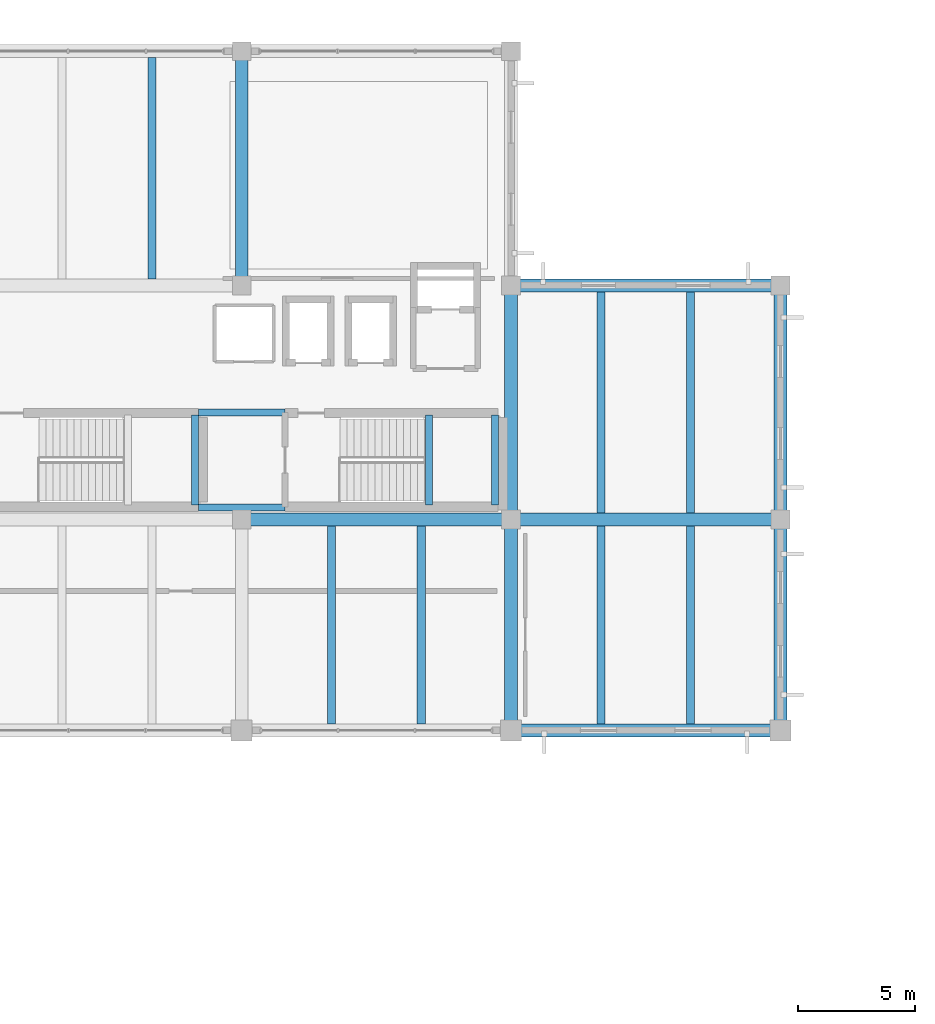
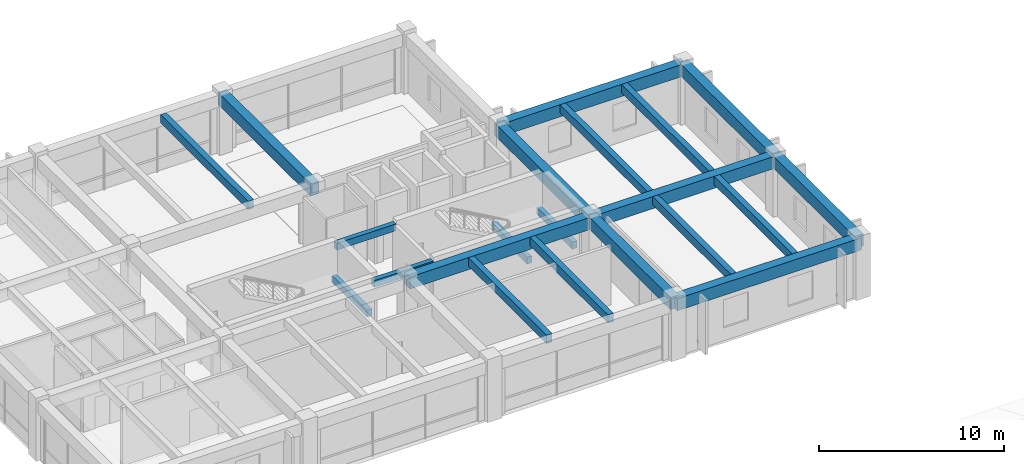
# One storey, part 20 of 33: 21 beams.
"""IFC4 building model written with IfcOpenShell, lengths in metres."""

from ifc_helpers import new_model, si_unit, direction, frame, origin, origin_2d, place, context, subcontext, project, spatial, rectangle, extrude, material, material_profile, profile_set, type_object, element, save


model = new_model("IFC4")

# Units and contexts
model_context = context("Model", 3, precision=1e-05, world=origin(), true_north=direction((0.0, 1.0)))
body_context = subcontext(model_context, "Body", "Model", "MODEL_VIEW")
ifc_project = project(units=[si_unit("LENGTHUNIT", "METRE"), si_unit("AREAUNIT", "SQUARE_METRE"), si_unit("VOLUMEUNIT", "CUBIC_METRE"), si_unit("PLANEANGLEUNIT", "RADIAN"), si_unit("MASSUNIT", "GRAM", prefix="KILO")], contexts=[model_context])

# Site, building, storey
site_placement = place(None, origin())
site = spatial("IfcSite", under=ifc_project, at=site_placement, CompositionType="ELEMENT")
building_placement = place(site_placement, origin())
building = spatial("IfcBuilding", under=site, at=building_placement, Name="Ologun Quay Terminus", CompositionType="ELEMENT")
storey_placement = place(building_placement, frame((0.0, 0.0, 18.300048828125)))
storey = spatial("IfcBuildingStorey", under=building, at=storey_placement, Name="L04", CompositionType="ELEMENT", Elevation=18.300048828125)

# Beams
ifc_material_1 = material(Name="Concrete C40/50", Category="concrete")
ifc_material_profile_1 = material_profile(ifc_material_1, rectangle(XDim=0.300048828125, YDim=0.449951171875, at=origin_2d()), Name="RC 300x450")
ifc_profile_set_1 = profile_set([ifc_material_profile_1], Name="Concrete C40/50")
beam_type_1 = type_object("IfcBeamType", Name="Core Coupling Lintel Beam 300x450", PredefinedType="LINTEL", material=ifc_profile_set_1)
for number, where, z_axis, x_axis, name in (
    (1, (136.14990234375, 95.324951171875, 3.68505859375), (1.0, 0.0, 0.0), (0.0, 1.0, 0.0), "LN1 Beam 13/H L04"),
    (2, (136.14990234375, 99.375, 3.68505859375), (1.0, 0.0, 0.0), (0.0, 1.0, 0.0), "LN1 Beam 13/H L04"),
):
    element("IfcBeam", number, at=place(storey_placement, frame(where, z_axis=z_axis, x_axis=x_axis)), inside=storey, type_object=beam_type_1, Name=name, PredefinedType="LINTEL", context=body_context, shape_type="SweptSolid", body=[
        extrude(rectangle(XDim=0.300048828125, YDim=0.449951171875, at=origin_2d()), origin(), (0.0, 0.0, 1.0), 3.7001953125),
    ])
for number, where, z_axis, x_axis, name in (
    (3, (136.010009765625, 95.429931640625, 1.675048828125), (0.0, 1.0, 0.0), (-1.0, 0.0, 0.0), "LN1 Half-Landing Ledger Beam ST-E1-E L04"),
    (4, (145.989990234375, 95.429931640625, 1.675048828125), (0.0, 1.0, 0.0), (-1.0, 0.0, 0.0), "LN1 Half-Landing Ledger Beam ST-E2-W L04"),
    (5, (148.81005859375, 95.429931640625, 1.675048828125), (0.0, 1.0, 0.0), (-1.0, 0.0, 0.0), "LN1 Half-Landing Ledger Beam ST-E2-E L04"),
):
    element("IfcBeam", number, at=place(storey_placement, frame(where, z_axis=z_axis, x_axis=x_axis)), inside=storey, type_object=beam_type_1, Name=name, PredefinedType="LINTEL", context=body_context, shape_type="SweptSolid", body=[
        extrude(rectangle(XDim=0.300048828125, YDim=0.449951171875, at=origin_2d()), origin(), (0.0, 0.0, 1.0), 3.840087890625),
    ])
ifc_material_2 = material(Name="Concrete C40/50", Category="concrete")
ifc_material_profile_2 = material_profile(ifc_material_2, rectangle(XDim=0.550048828125, YDim=0.800048828125, at=origin_2d()), Name="RC 550x800")
ifc_profile_set_2 = profile_set([ifc_material_profile_2], Name="Concrete C40/50")
beam_type_2 = type_object("IfcBeamType", Name="Courtyard Wing Primary Girder 550x800", PredefinedType="BEAM", material=ifc_profile_set_2)
for number, where, z_axis, x_axis, name in (
    (6, (149.5, 85.800048828125, 3.5), (1.0, 0.0, 0.0), (0.0, 1.0, 0.0), "B4 Beam 14/G2 L04"),
    (7, (138.0, 94.800048828125, 3.5), (1.0, 0.0, 0.0), (0.0, 1.0, 0.0), "B4 Beam 13/H L04"),
    (8, (149.5, 94.800048828125, 3.5), (1.0, 0.0, 0.0), (0.0, 1.0, 0.0), "B4 Beam 14/H L04"),
    (9, (149.5, 104.800048828125, 3.5), (1.0, 0.0, 0.0), (0.0, 1.0, 0.0), "B4 Beam 14/J L04"),
):
    element("IfcBeam", number, at=place(storey_placement, frame(where, z_axis=z_axis, x_axis=x_axis)), inside=storey, type_object=beam_type_2, Name=name, PredefinedType="BEAM", context=body_context, shape_type="SweptSolid", body=[
        extrude(rectangle(XDim=0.550048828125, YDim=0.800048828125, at=origin_2d()), origin(), (0.0, 0.0, 1.0), 11.5),
    ])
beam_1_placement = place(storey_placement, frame((138.0, 104.800048828125, 3.5), z_axis=(0.0, 1.0, 0.0), x_axis=(-1.0, 0.0, 0.0)))
element("IfcBeam", 10, at=beam_1_placement, inside=storey, type_object=beam_type_2, Name="B4 Beam 13/J L04", PredefinedType="BEAM", context=body_context, shape_type="SweptSolid", body=[
    extrude(rectangle(XDim=0.550048828125, YDim=0.800048828125, at=origin_2d()), origin(), (0.0, 0.0, 1.0), 10.0),
])
beam_2_placement = place(storey_placement, frame((149.5, 85.800048828125, 3.5), z_axis=(0.0, 1.0, 0.0), x_axis=(-1.0, 0.0, 0.0)))
element("IfcBeam", 11, at=beam_2_placement, inside=storey, type_object=beam_type_2, Name="B4 Beam 14/G2 L04", PredefinedType="BEAM", context=body_context, shape_type="SweptSolid", body=[
    extrude(rectangle(XDim=0.550048828125, YDim=0.800048828125, at=origin_2d()), origin(), (0.0, 0.0, 1.0), 9.0),
])
beam_3_placement = place(storey_placement, frame((149.5, 94.800048828125, 3.5), z_axis=(0.0, 1.0, 0.0), x_axis=(-1.0, 0.0, 0.0)))
element("IfcBeam", 12, at=beam_3_placement, inside=storey, type_object=beam_type_2, Name="B4 Beam 14/H L04", PredefinedType="BEAM", context=body_context, shape_type="SweptSolid", body=[
    extrude(rectangle(XDim=0.550048828125, YDim=0.800048828125, at=origin_2d()), origin(), (0.0, 0.0, 1.0), 10.0),
])
beam_4_placement = place(storey_placement, frame((161.0, 85.800048828125, 3.5), z_axis=(0.0, 1.0, 0.0), x_axis=(-1.0, 0.0, 0.0)))
element("IfcBeam", 13, at=beam_4_placement, inside=storey, type_object=beam_type_2, Name="B4 Beam 15/G2 L04", PredefinedType="BEAM", context=body_context, shape_type="SweptSolid", body=[
    extrude(rectangle(XDim=0.550048828125, YDim=0.800048828125, at=origin_2d()), origin(), (0.0, 0.0, 1.0), 9.0),
])
beam_5_placement = place(storey_placement, frame((161.0, 94.800048828125, 3.5), z_axis=(0.0, 1.0, 0.0), x_axis=(-1.0, 0.0, 0.0)))
element("IfcBeam", 14, at=beam_5_placement, inside=storey, type_object=beam_type_2, Name="B4 Beam 15/H L04", PredefinedType="BEAM", context=body_context, shape_type="SweptSolid", body=[
    extrude(rectangle(XDim=0.550048828125, YDim=0.800048828125, at=origin_2d()), origin(), (0.0, 0.0, 1.0), 10.0),
])
ifc_material_3 = material(Name="Concrete C40/50", Category="concrete")
ifc_material_profile_3 = material_profile(ifc_material_3, rectangle(XDim=0.35009765625, YDim=0.550048828125, at=origin_2d()), Name="RC 350x550")
ifc_profile_set_3 = profile_set([ifc_material_profile_3], Name="Concrete C40/50")
beam_type_3 = type_object("IfcBeamType", Name="Courtyard Wing Secondary Joist 350x550", PredefinedType="JOIST", material=ifc_profile_set_3)
beam_6_placement = place(storey_placement, frame((134.166748046875, 105.074951171875, 3.625), z_axis=(0.0, 1.0, 0.0), x_axis=(-1.0, 0.0, 0.0)))
element("IfcBeam", 15, at=beam_6_placement, inside=storey, type_object=beam_type_3, Name="J2 Beam 12/J L04", PredefinedType="JOIST", context=body_context, shape_type="SweptSolid", body=[
    extrude(rectangle(XDim=0.35009765625, YDim=0.550048828125, at=origin_2d()), origin(), (0.0, 0.0, 1.0), 9.449951171875),
])
for number, where, z_axis, x_axis, name in (
    (16, (141.833251953125, 86.074951171875, 3.625), (0.0, 1.0, 0.0), (-1.0, 0.0, 0.0), "J2 Beam 13/G2 L04"),
    (17, (145.666748046875, 86.074951171875, 3.625), (0.0, 1.0, 0.0), (-1.0, 0.0, 0.0), "J2 Beam 13/G2 L04"),
    (18, (153.333251953125, 86.074951171875, 3.625), (0.0, 1.0, 0.0), (-1.0, 0.0, 0.0), "J2 Beam 14/G2 L04"),
    (19, (157.166748046875, 86.074951171875, 3.625), (0.0, 1.0, 0.0), (-1.0, 0.0, 0.0), "J2 Beam 14/G2 L04"),
):
    element("IfcBeam", number, at=place(storey_placement, frame(where, z_axis=z_axis, x_axis=x_axis)), inside=storey, type_object=beam_type_3, Name=name, PredefinedType="JOIST", context=body_context, shape_type="SweptSolid", body=[
        extrude(rectangle(XDim=0.35009765625, YDim=0.550048828125, at=origin_2d()), origin(), (0.0, 0.0, 1.0), 8.449951171875),
    ])
for number, where, z_axis, x_axis, name in (
    (20, (153.333251953125, 95.074951171875, 3.625), (0.0, 1.0, 0.0), (-1.0, 0.0, 0.0), "J2 Beam 14/H L04"),
    (21, (157.166748046875, 95.074951171875, 3.625), (0.0, 1.0, 0.0), (-1.0, 0.0, 0.0), "J2 Beam 14/H L04"),
):
    element("IfcBeam", number, at=place(storey_placement, frame(where, z_axis=z_axis, x_axis=x_axis)), inside=storey, type_object=beam_type_3, Name=name, PredefinedType="JOIST", context=body_context, shape_type="SweptSolid", body=[
        extrude(rectangle(XDim=0.35009765625, YDim=0.550048828125, at=origin_2d()), origin(), (0.0, 0.0, 1.0), 9.449951171875),
    ])

save(model, "model.ifc")
